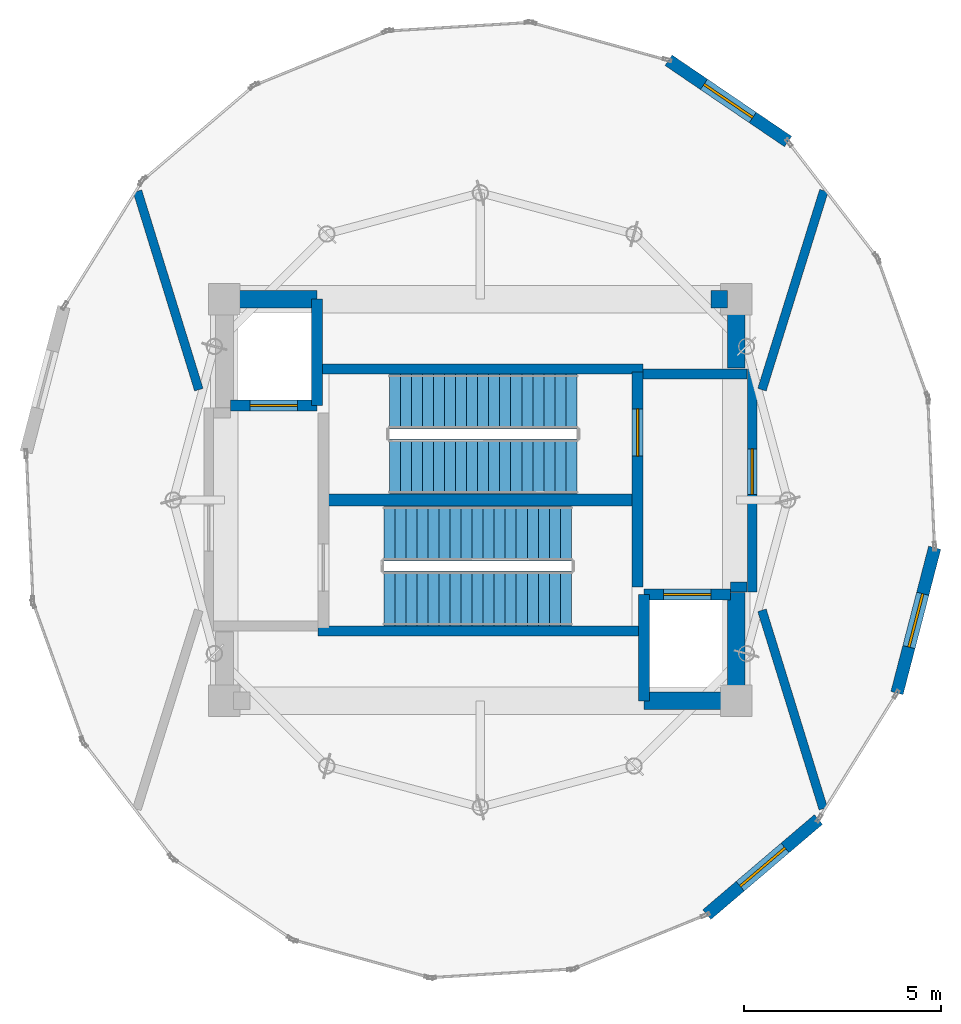
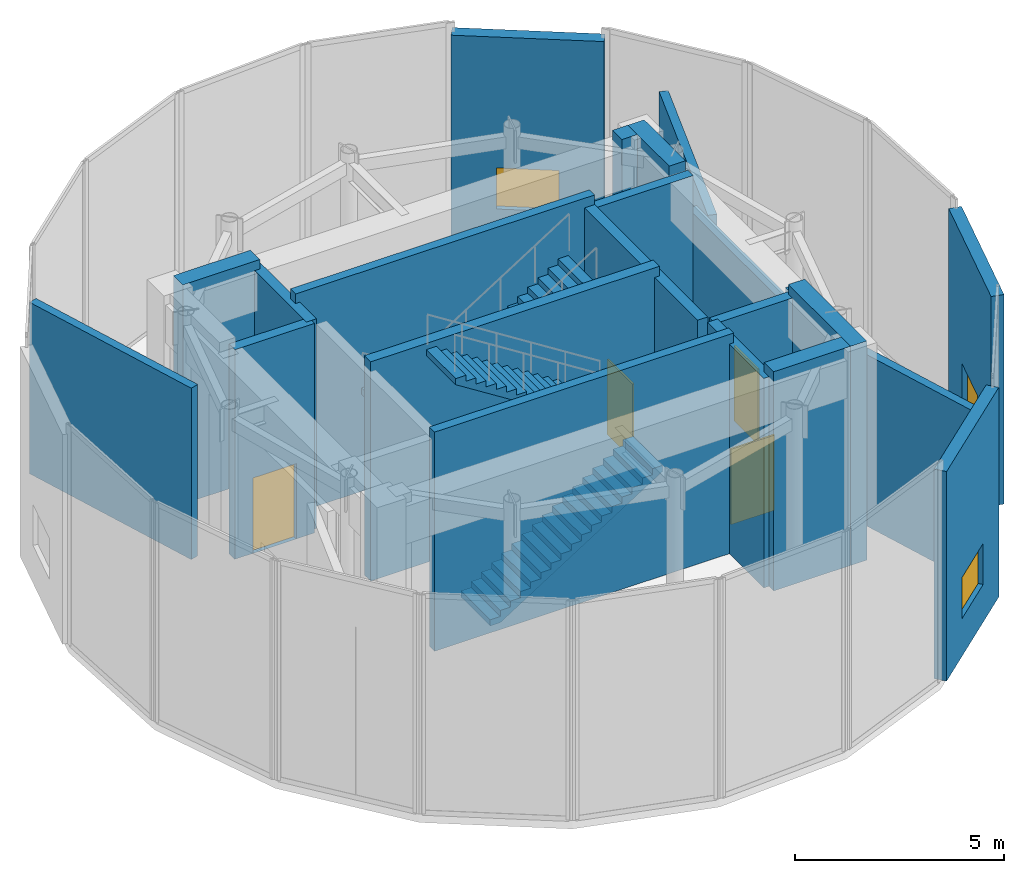
# One storey, part 8 of 9: 22 walls, 4 doors, 4 stair flights, 3 windows, 7 openings, 2 elements without a shape of their own.
"""IFC4 building model written with IfcOpenShell, lengths in metres."""

from ifc_helpers import new_model, si_unit, direction, frame, frame_2d, origin, place, context, subcontext, project, spatial, polyline, rectangle, outline, extrude, material, layer, layer_set, type_object, element, fill, aggregate, save


model = new_model("IFC4")

# Units and contexts
model_context = context("Model", 3, precision=1e-05, world=origin(), true_north=direction((0.0, 1.0)))
body_context = subcontext(model_context, "Body", "Model", "MODEL_VIEW")
ifc_project = project(units=[si_unit("LENGTHUNIT", "METRE"), si_unit("AREAUNIT", "SQUARE_METRE"), si_unit("VOLUMEUNIT", "CUBIC_METRE"), si_unit("PLANEANGLEUNIT", "RADIAN"), si_unit("MASSUNIT", "GRAM", prefix="KILO")], contexts=[model_context])

# Site, building, storey
site_placement = place(None, origin())
site = spatial("IfcSite", under=ifc_project, at=site_placement, CompositionType="ELEMENT")
building_placement = place(site_placement, origin())
building = spatial("IfcBuilding", under=site, at=building_placement, Name="Solvirekh Grand Hotel", CompositionType="ELEMENT")
storey_placement = place(building_placement, frame((0.0, 0.0, 314.60009765625)))
storey = spatial("IfcBuildingStorey", under=building, at=storey_placement, Name="L80", CompositionType="ELEMENT", Elevation=314.60009765625)

# Walls
ifc_material_1 = material(Name="Concrete C50/60", Category="concrete")
ifc_layer_1 = layer(ifc_material_1, 0.35009765625)
ifc_layer_set_1 = layer_set([ifc_layer_1], Name="Concrete C50/60")
wall_type_1 = type_object("IfcWallType", Name="CoreDivWall_RC350", PredefinedType="SOLIDWALL", material=ifc_layer_set_1)
for number, where, z_axis, x_axis, name in (
    (1, (-4.1298828125, -3.324951171875, 0.0), (0.0, 0.0, 1.0), (1.0, 0.0, 0.0), "L80 core stair box wall ST-S"),
    (2, (-4.1298828125, 3.324951171875, 0.0), (0.0, 0.0, 1.0), (1.0, 0.0, 0.0), "L80 core stair box wall ST-N"),
):
    element("IfcWall", number, at=place(storey_placement, frame(where, z_axis=z_axis, x_axis=x_axis)), inside=storey, type_object=wall_type_1, Name=name, PredefinedType="SOLIDWALL", context=body_context, shape_type="SweptSolid", body=[
        extrude(rectangle(XDim=8.259765625, YDim=0.25, at=frame_2d((4.1298828125, 0.0))), origin(), (0.0, 0.0, 1.0), 6.39990234375),
    ])

# Wall, opening, door
ifc_material_2 = material(Name="Concrete C40/50", Category="concrete")
ifc_layer_2 = layer(ifc_material_2, 0.280029296875)
ifc_layer_set_2 = layer_set([ifc_layer_2], Name="Concrete C40/50")
wall_type_2 = type_object("IfcWallType", Name="CoreShaftWall_RC280", PredefinedType="SOLIDWALL", material=ifc_layer_set_2)
wall_1_placement = place(storey_placement, frame((-6.35009765625, 2.39990234375, 0.0), z_axis=(0.0, 0.0, 1.0), x_axis=(1.0, 0.0, 0.0)))
wall_1 = element("IfcWall", 3, at=wall_1_placement, inside=storey, type_object=wall_type_2, Name="L80 FL-1 hoistway S wall", PredefinedType="SOLIDWALL", context=body_context, shape_type="SweptSolid", body=[
    extrude(rectangle(XDim=2.2001953125, YDim=0.280029296875, at=frame_2d((1.10009765625, 0.0))), origin(), (0.0, 0.0, 1.0), 6.119873046875),
])
opening_1_placement = place(wall_1_placement, frame((0.5, 0.0, 0.0)))
opening_1 = element("IfcOpeningElement", 4, at=opening_1_placement, cuts=wall_1, Name="Opening LD02", PredefinedType="OPENING", context=body_context, shape_type="SweptSolid", body=[
    extrude(rectangle(XDim=1.199951171875, YDim=2.199951171875, at=frame_2d((0.60009765625, 1.10009765625))), frame((0.0, 0.14990234375, 0.0), z_axis=(0.0, -1.0, 0.0), x_axis=(1.0, 0.0, 0.0)), (0.0, 0.0, 1.0), 0.300048828125),
])
ifc_material_3 = material(Name="Fire-Rated Steel Door Assembly", Category="steel")
door_type_1 = type_object("IfcDoorType", Name="Door_LiftFF_1200X2200", OperationType="SLIDING_TO_LEFT", PredefinedType="DOOR", material=ifc_material_3)
door_1_placement = place(opening_1_placement, origin())
door_1 = element("IfcDoor", 5, at=door_1_placement, inside=storey, type_object=door_type_1, Name="L80 FL-1 sliding lift landing door", OperationType="SLIDING_TO_LEFT", OverallHeight=2.199951171875, OverallWidth=1.199951171875, PredefinedType="DOOR", context=body_context, shape_type="SweptSolid", body=[
    extrude(rectangle(XDim=1.199951171875, YDim=2.199951171875, at=frame_2d((0.60009765625, 1.10009765625))), frame((0.0, 0.02490234375, 0.0), z_axis=(0.0, -1.0, 0.0), x_axis=(1.0, 0.0, 0.0)), (0.0, 0.0, 1.0), 0.050048828125),
])
fill(opening_1, door_1)

# Wall
wall_2_placement = place(storey_placement, frame((-4.14990234375, 2.39990234375, 0.0), z_axis=(0.0, 0.0, 1.0), x_axis=(0.0, 1.0, 0.0)))
element("IfcWall", 6, at=wall_2_placement, inside=storey, type_object=wall_type_2, Name="L80 FL-1 hoistway E wall", PredefinedType="SOLIDWALL", context=body_context, shape_type="SweptSolid", body=[
    extrude(rectangle(XDim=2.7001953125, YDim=0.280029296875, at=frame_2d((1.35009765625, 0.0))), origin(), (0.0, 0.0, 1.0), 6.119873046875),
])

# Wall, opening, door
wall_3_placement = place(storey_placement, frame((6.35009765625, -2.39990234375, 0.0), z_axis=(0.0, 0.0, 1.0), x_axis=(-1.0, 0.0, 0.0)))
wall_3 = element("IfcWall", 7, at=wall_3_placement, inside=storey, type_object=wall_type_2, Name="L80 FL-2 hoistway N wall", PredefinedType="SOLIDWALL", context=body_context, shape_type="SweptSolid", body=[
    extrude(rectangle(XDim=2.2001953125, YDim=0.280029296875, at=frame_2d((1.10009765625, 0.0))), origin(), (0.0, 0.0, 1.0), 6.119873046875),
])
opening_2_placement = place(wall_3_placement, frame((0.5, 0.0, 0.0)))
opening_2 = element("IfcOpeningElement", 8, at=opening_2_placement, cuts=wall_3, Name="Opening LD02", PredefinedType="OPENING", context=body_context, shape_type="SweptSolid", body=[
    extrude(rectangle(XDim=1.199951171875, YDim=2.199951171875, at=frame_2d((0.60009765625, 1.10009765625))), frame((0.0, 0.14990234375, 0.0), z_axis=(0.0, -1.0, 0.0), x_axis=(1.0, 0.0, 0.0)), (0.0, 0.0, 1.0), 0.300048828125),
])
door_2_placement = place(opening_2_placement, origin())
door_2 = element("IfcDoor", 9, at=door_2_placement, inside=storey, type_object=door_type_1, Name="L80 FL-2 sliding lift landing door", OperationType="SLIDING_TO_LEFT", OverallHeight=2.199951171875, OverallWidth=1.199951171875, PredefinedType="DOOR", context=body_context, shape_type="SweptSolid", body=[
    extrude(rectangle(XDim=1.199951171875, YDim=2.199951171875, at=frame_2d((0.60009765625, 1.10009765625))), frame((0.0, 0.02490234375, 0.0), z_axis=(0.0, -1.0, 0.0), x_axis=(1.0, 0.0, 0.0)), (0.0, 0.0, 1.0), 0.050048828125),
])
fill(opening_2, door_2)

# Wall
wall_4_placement = place(storey_placement, frame((4.14990234375, -2.39990234375, 0.0), z_axis=(0.0, 0.0, 1.0), x_axis=(0.0, -1.0, 0.0)))
element("IfcWall", 10, at=wall_4_placement, inside=storey, type_object=wall_type_2, Name="L80 FL-2 hoistway W wall", PredefinedType="SOLIDWALL", context=body_context, shape_type="SweptSolid", body=[
    extrude(rectangle(XDim=2.7001953125, YDim=0.280029296875, at=frame_2d((1.35009765625, 0.0))), origin(), (0.0, 0.0, 1.0), 6.119873046875),
])

# Wall, opening, door
wall_5_placement = place(storey_placement, frame((3.989990234375, -2.2099609375, 0.0), z_axis=(0.0, 0.0, 1.0), x_axis=(0.0, 1.0, 0.0)))
wall_5 = element("IfcWall", 11, at=wall_5_placement, inside=storey, type_object=wall_type_2, Name="L80 east stair landing enclosure wall", PredefinedType="SOLIDWALL", context=body_context, shape_type="SweptSolid", body=[
    extrude(rectangle(XDim=5.4599609375, YDim=0.280029296875, at=frame_2d((2.72998046875, 0.0))), origin(), (0.0, 0.0, 1.0), 6.119873046875),
])
opening_3_placement = place(wall_5_placement, frame((3.322998046875, 0.0, 0.0)))
opening_3 = element("IfcOpeningElement", 12, at=opening_3_placement, cuts=wall_5, Name="Opening D05", PredefinedType="OPENING", context=body_context, shape_type="SweptSolid", body=[
    extrude(rectangle(XDim=1.199951171875, YDim=2.199951171875, at=frame_2d((0.60009765625, 1.10009765625))), frame((0.0, 0.14990234375, 0.0), z_axis=(0.0, -1.0, 0.0), x_axis=(1.0, 0.0, 0.0)), (0.0, 0.0, 1.0), 0.300048828125),
])
door_type_2 = type_object("IfcDoorType", Name="Door_StairCore_1200X2200", OperationType="NOTDEFINED", PredefinedType="DOOR", material=ifc_material_3)
door_3_placement = place(opening_3_placement, origin())
door_3 = element("IfcDoor", 13, at=door_3_placement, inside=storey, type_object=door_type_2, Name="L80 exit stair ST-2 fire door", OperationType="SINGLE_SWING_LEFT", OverallHeight=2.199951171875, OverallWidth=1.199951171875, PredefinedType="DOOR", context=body_context, shape_type="SweptSolid", body=[
    extrude(rectangle(XDim=1.199951171875, YDim=2.199951171875, at=frame_2d((0.60009765625, 1.10009765625))), frame((0.0, 0.02490234375, 0.0), z_axis=(0.0, -1.0, 0.0), x_axis=(1.0, 0.0, 0.0)), (0.0, 0.0, 1.0), 0.050048828125),
])
fill(opening_3, door_3)

# Walls
ifc_layer_3 = layer(ifc_material_1, 0.449951171875)
ifc_layer_set_3 = layer_set([ifc_layer_3], Name="Concrete C50/60")
wall_type_3 = type_object("IfcWallType", Name="CoreWall_RC450", PredefinedType="SHEAR", material=ifc_layer_set_3)
wall_6_placement = place(storey_placement, frame((-3.989990234375, 0.0, 0.0), z_axis=(0.0, 0.0, 1.0), x_axis=(1.0, 0.0, 0.0)))
element("IfcWall", 14, at=wall_6_placement, inside=storey, type_object=wall_type_3, Name="L80 central stair-spine shear wall", PredefinedType="SHEAR", context=body_context, shape_type="SweptSolid", body=[
    extrude(rectangle(XDim=7.97998046875, YDim=0.300048828125, at=frame_2d((3.989990234375, 0.0))), origin(), (0.0, 0.0, 1.0), 6.39990234375),
])
for number, where, z_axis, x_axis, name in (
    (15, (4.14990234375, -5.10009765625, 0.0), (0.0, 0.0, 1.0), (1.0, 0.0, 0.0), "L80 core corner shear wall SE-S"),
    (16, (-6.27490234375, 5.10009765625, 0.0), (0.0, 0.0, 1.0), (1.0, 0.0, 0.0), "L80 core corner shear wall NW-N"),
):
    element("IfcWall", number, at=place(storey_placement, frame(where, z_axis=z_axis, x_axis=x_axis)), inside=storey, type_object=wall_type_3, Name=name, PredefinedType="SHEAR", context=body_context, shape_type="SweptSolid", body=[
        extrude(rectangle(XDim=2.125, YDim=0.449951171875, at=frame_2d((1.0625, 0.0))), origin(), (0.0, 0.0, 1.0), 6.39990234375),
    ])
wall_7_placement = place(storey_placement, frame((5.85009765625, 5.10009765625, 0.0), z_axis=(0.0, 0.0, 1.0), x_axis=(1.0, 0.0, 0.0)))
element("IfcWall", 17, at=wall_7_placement, inside=storey, type_object=wall_type_3, Name="L80 core corner shear wall NE-N", PredefinedType="SHEAR", context=body_context, shape_type="SweptSolid", body=[
    extrude(rectangle(XDim=0.4248046875, YDim=0.449951171875, at=frame_2d((0.21240234375, 0.0))), origin(), (0.0, 0.0, 1.0), 6.39990234375),
])
wall_8_placement = place(storey_placement, frame((6.5, -5.324951171875, 0.0), z_axis=(0.0, 0.0, 1.0), x_axis=(0.0, 1.0, 0.0)))
element("IfcWall", 18, at=wall_8_placement, inside=storey, type_object=wall_type_3, Name="L80 core corner shear wall ES-E", PredefinedType="SHEAR", context=body_context, shape_type="SweptSolid", body=[
    extrude(rectangle(XDim=2.974853515625, YDim=0.449951171875, at=frame_2d((1.4873046875, 0.0))), origin(), (0.0, 0.0, 1.0), 6.39990234375),
])
wall_9_placement = place(storey_placement, frame((6.5, 3.35009765625, 0.0), z_axis=(0.0, 0.0, 1.0), x_axis=(0.0, 1.0, 0.0)))
element("IfcWall", 19, at=wall_9_placement, inside=storey, type_object=wall_type_3, Name="L80 core corner shear wall EN-E", PredefinedType="SHEAR", context=body_context, shape_type="SweptSolid", body=[
    extrude(rectangle(XDim=1.974853515625, YDim=0.449951171875, at=frame_2d((0.9873046875, 0.0))), origin(), (0.0, 0.0, 1.0), 6.39990234375),
])

# Wall, opening, window
ifc_material_4 = material(Name="Precast concrete C45/55", Category="concrete")
ifc_layer_4 = layer(ifc_material_4, 0.320068359375)
ifc_layer_set_4 = layer_set([ifc_layer_4], Name="Precast concrete C45/55")
wall_type_4 = type_object("IfcWallType", Name="ExtLobbyWall_RC320", PredefinedType="SOLIDWALL", material=ifc_layer_set_4)
wall_10_placement = place(storey_placement, frame((8.583984375, -8.113037109375, 0.0), z_axis=(0.0, 0.0, 1.0), x_axis=(-0.761104204201, -0.648629624938, 0.0)))
wall_10 = element("IfcWall", 20, at=wall_10_placement, inside=storey, type_object=wall_type_4, Name="L80 exterior structural wall chord 3", PredefinedType="SOLIDWALL", context=body_context, shape_type="SweptSolid", body=[
    extrude(rectangle(XDim=3.724853515625, YDim=0.320068359375, at=frame_2d((1.8623046875, 0.0))), origin(), (0.0, 0.0, 1.0), 6.119873046875),
])
opening_4_placement = place(wall_10_placement, frame((1.112060546875, 0.0, 1.10009765625)))
opening_4 = element("IfcOpeningElement", 21, at=opening_4_placement, cuts=wall_10, Name="Opening W05", PredefinedType="OPENING", context=body_context, shape_type="SweptSolid", body=[
    extrude(rectangle(XDim=1.5, YDim=1.199951171875, at=frame_2d((0.75, 0.60009765625))), frame((0.0, 0.169921875, 0.0), z_axis=(0.0, -1.0, 0.0), x_axis=(1.0, 0.0, 0.0)), (0.0, 0.0, 1.0), 0.340087890625),
])
ifc_material_5 = material(Name="Low-E Tinted Bronze Laminated Glass", Category="aluminium")
window_type_1 = type_object("IfcWindowType", Name="Win_PlantVent_1500X1200", PartitioningType="SINGLE_PANEL", PredefinedType="WINDOW", material=ifc_material_5)
window_1_placement = place(opening_4_placement, origin())
window_1 = element("IfcWindow", 22, at=window_1_placement, inside=storey, type_object=window_type_1, Name="L80 mechanical louvre window 3", OverallHeight=1.199951171875, OverallWidth=1.5, PartitioningType="SINGLE_PANEL", PredefinedType="WINDOW", context=body_context, shape_type="SweptSolid", body=[
    extrude(rectangle(XDim=1.5, YDim=1.199951171875, at=frame_2d((0.75, 0.60009765625))), frame((0.0, 0.030029296875, 0.0), z_axis=(0.0, -1.0, 0.0), x_axis=(1.0, 0.0, 0.0)), (0.0, 0.0, 1.0), 0.06005859375),
])
fill(opening_4, window_1)

wall_11_placement = place(storey_placement, frame((11.535888671875, -1.212890625, 0.0), z_axis=(0.0, 0.0, 1.0), x_axis=(-0.2512799417, -0.967914454329, 0.0)))
wall_11 = element("IfcWall", 23, at=wall_11_placement, inside=storey, type_object=wall_type_4, Name="L80 exterior structural wall chord 5", PredefinedType="SOLIDWALL", context=body_context, shape_type="SweptSolid", body=[
    extrude(rectangle(XDim=3.8125, YDim=0.320068359375, at=frame_2d((1.90625, 0.0))), origin(), (0.0, 0.0, 1.0), 6.119873046875),
])
opening_5_placement = place(wall_11_placement, frame((1.2060546875, 0.0, 0.60009765625)))
opening_5 = element("IfcOpeningElement", 24, at=opening_5_placement, cuts=wall_11, Name="Opening SK03", PredefinedType="OPENING", context=body_context, shape_type="SweptSolid", body=[
    extrude(rectangle(XDim=1.39990234375, YDim=1.800048828125, at=frame_2d((0.699951171875, 0.89990234375))), frame((0.0, 0.169921875, 0.0), z_axis=(0.0, -1.0, 0.0), x_axis=(1.0, 0.0, 0.0)), (0.0, 0.0, 1.0), 0.340087890625),
])
ifc_material_6 = material(Name="Champagne Low-Iron Crown Laminated Glass", Category="glass")
window_type_2 = type_object("IfcWindowType", Name="Skylight_Crown_1400X1800", PartitioningType="SINGLE_PANEL", PredefinedType="SKYLIGHT", material=ifc_material_6)
window_2_placement = place(opening_5_placement, origin())
window_2 = element("IfcWindow", 25, at=window_2_placement, inside=storey, type_object=window_type_2, Name="L80 high-level clerestory skylight 5", OverallHeight=1.800048828125, OverallWidth=1.39990234375, PartitioningType="SINGLE_PANEL", PredefinedType="SKYLIGHT", context=body_context, shape_type="SweptSolid", body=[
    extrude(rectangle(XDim=1.39990234375, YDim=1.800048828125, at=frame_2d((0.699951171875, 0.89990234375))), frame((0.0, 0.030029296875, 0.0), z_axis=(0.0, -1.0, 0.0), x_axis=(1.0, 0.0, 0.0)), (0.0, 0.0, 1.0), 0.06005859375),
])
fill(opening_5, window_2)

wall_12_placement = place(storey_placement, frame((4.778076171875, 11.1650390625, 0.0), z_axis=(0.0, 0.0, 1.0), x_axis=(0.827145493649, -0.561987840026, 0.0)))
wall_12 = element("IfcWall", 26, at=wall_12_placement, inside=storey, type_object=wall_type_4, Name="L80 exterior structural wall chord 9", PredefinedType="SOLIDWALL", context=body_context, shape_type="SweptSolid", body=[
    extrude(rectangle(XDim=3.669189453125, YDim=0.320068359375, at=frame_2d((1.83447265625, 0.0))), origin(), (0.0, 0.0, 1.0), 6.119873046875),
])
opening_6_placement = place(wall_12_placement, frame((1.0849609375, 0.0, 1.10009765625)))
opening_6 = element("IfcOpeningElement", 27, at=opening_6_placement, cuts=wall_12, Name="Opening W05", PredefinedType="OPENING", context=body_context, shape_type="SweptSolid", body=[
    extrude(rectangle(XDim=1.5, YDim=1.199951171875, at=frame_2d((0.75, 0.60009765625))), frame((0.0, 0.169921875, 0.0), z_axis=(0.0, -1.0, 0.0), x_axis=(1.0, 0.0, 0.0)), (0.0, 0.0, 1.0), 0.340087890625),
])
window_3_placement = place(opening_6_placement, origin())
window_3 = element("IfcWindow", 28, at=window_3_placement, inside=storey, type_object=window_type_1, Name="L80 mechanical louvre window 9", OverallHeight=1.199951171875, OverallWidth=1.5, PartitioningType="SINGLE_PANEL", PredefinedType="WINDOW", context=body_context, shape_type="SweptSolid", body=[
    extrude(rectangle(XDim=1.5, YDim=1.199951171875, at=frame_2d((0.75, 0.60009765625))), frame((0.0, 0.030029296875, 0.0), z_axis=(0.0, -1.0, 0.0), x_axis=(1.0, 0.0, 0.0)), (0.0, 0.0, 1.0), 0.06005859375),
])
fill(opening_6, window_3)

# Wall, opening, door
ifc_material_7 = material(Name="Acoustic Gypsum Partition Assembly")
ifc_layer_5 = layer(ifc_material_7, 0.239990234375)
ifc_layer_set_5 = layer_set([ifc_layer_5], Name="Acoustic Gypsum Partition Assembly")
wall_type_5 = type_object("IfcWallType", Name="Part_Corridor_240", PredefinedType="PARTITIONING", material=ifc_layer_set_5)
wall_13_placement = place(storey_placement, frame((6.89990234375, -2.340087890625, 0.0), z_axis=(0.0, 0.0, 1.0), x_axis=(0.0, 1.0, 0.0)))
wall_13 = element("IfcWall", 29, at=wall_13_placement, inside=storey, type_object=wall_type_5, Name="L80 east firefighting lobby smoke screen wall", PredefinedType="PARTITIONING", context=body_context, shape_type="SweptSolid", body=[
    extrude(rectangle(XDim=5.670166015625, YDim=0.239990234375, at=frame_2d((2.8349609375, 0.0))), origin(), (0.0, 0.0, 1.0), 5.0048828125),
])
opening_7_placement = place(wall_13_placement, frame((2.486083984375, 0.0, 0.0)))
opening_7 = element("IfcOpeningElement", 30, at=opening_7_placement, cuts=wall_13, Name="Opening D06", PredefinedType="OPENING", context=body_context, shape_type="SweptSolid", body=[
    extrude(rectangle(XDim=1.14990234375, YDim=2.199951171875, at=frame_2d((0.574951171875, 1.10009765625))), frame((0.0, 0.1298828125, 0.0), z_axis=(0.0, -1.0, 0.0), x_axis=(1.0, 0.0, 0.0)), (0.0, 0.0, 1.0), 0.260009765625),
])
door_type_3 = type_object("IfcDoorType", Name="Door_FFLobby_1150X2200", OperationType="NOTDEFINED", PredefinedType="DOOR", material=ifc_material_3)
door_4_placement = place(opening_7_placement, origin())
door_4 = element("IfcDoor", 31, at=door_4_placement, inside=storey, type_object=door_type_3, Name="L80 east firefighting lobby smoke door", OperationType="SINGLE_SWING_LEFT", OverallHeight=2.199951171875, OverallWidth=1.14990234375, PredefinedType="DOOR", context=body_context, shape_type="SweptSolid", body=[
    extrude(rectangle(XDim=1.14990234375, YDim=2.199951171875, at=frame_2d((0.574951171875, 1.10009765625))), frame((0.0, 0.02490234375, 0.0), z_axis=(0.0, -1.0, 0.0), x_axis=(1.0, 0.0, 0.0)), (0.0, 0.0, 1.0), 0.050048828125),
])
fill(opening_7, door_4)

# Walls
ifc_layer_6 = layer(ifc_material_7, 0.260009765625)
ifc_layer_set_6 = layer_set([ifc_layer_6], Name="Acoustic Gypsum Partition Assembly")
wall_type_6 = type_object("IfcWallType", Name="Part_LobbyFF_260", PredefinedType="PARTITIONING", material=ifc_layer_set_6)
wall_14_placement = place(storey_placement, frame((6.35009765625, -2.2099609375, 0.0), z_axis=(0.0, 0.0, 1.0), x_axis=(1.0, 0.0, 0.0)))
element("IfcWall", 32, at=wall_14_placement, inside=storey, type_object=wall_type_6, Name="L80 east firefighting lobby SE cheek", PredefinedType="PARTITIONING", context=body_context, shape_type="SweptSolid", body=[
    extrude(rectangle(XDim=0.4248046875, YDim=0.260009765625, at=frame_2d((0.21240234375, 0.0))), origin(), (0.0, 0.0, 1.0), 6.119873046875),
])
wall_15_placement = place(storey_placement, frame((4.1298828125, 3.199951171875, 0.0), z_axis=(0.0, 0.0, 1.0), x_axis=(1.0, 0.0, 0.0)))
element("IfcWall", 33, at=wall_15_placement, inside=storey, type_object=wall_type_6, Name="L80 east firefighting lobby north partition", PredefinedType="PARTITIONING", context=body_context, shape_type="SweptSolid", body=[
    extrude(rectangle(XDim=2.64501953125, YDim=0.260009765625, at=frame_2d((1.322509765625, 0.0))), origin(), (0.0, 0.0, 1.0), 6.119873046875),
])
ifc_layer_7 = layer(ifc_material_4, 0.22509765625)
ifc_layer_set_7 = layer_set([ifc_layer_7], Name="Precast concrete C45/55")
wall_type_7 = type_object("IfcWallType", Name="Part_Plant_225", PredefinedType="PARTITIONING", material=ifc_layer_set_7)
wall_16_placement = place(storey_placement, frame((-7.14990234375, 2.800048828125, 0.0), z_axis=(0.0, 0.0, 1.0), x_axis=(-0.295184908093, 0.955440144663, 0.0)))
element("IfcWall", 34, at=wall_16_placement, inside=storey, type_object=wall_type_7, Name="L80 west crown plant north wall", PredefinedType="PARTITIONING", context=body_context, shape_type="SweptSolid", body=[
    extrude(rectangle(XDim=5.275146484375, YDim=0.22509765625, at=frame_2d((2.6376953125, 0.0))), origin(), (0.0, 0.0, 1.0), 5.0048828125),
])
wall_17_placement = place(storey_placement, frame((7.14990234375, 2.800048828125, 0.0), z_axis=(0.0, 0.0, 1.0), x_axis=(0.297179629103, 0.954821589642, 0.0)))
element("IfcWall", 35, at=wall_17_placement, inside=storey, type_object=wall_type_7, Name="L80 east crown plant north wall", PredefinedType="PARTITIONING", context=body_context, shape_type="SweptSolid", body=[
    extrude(rectangle(XDim=5.29296875, YDim=0.22509765625, at=frame_2d((2.646484375, 0.0))), origin(), (0.0, 0.0, 1.0), 5.0048828125),
])
wall_18_placement = place(storey_placement, frame((7.14990234375, -2.800048828125, 0.0), z_axis=(0.0, 0.0, 1.0), x_axis=(0.295184908093, -0.955440144663, 0.0)))
element("IfcWall", 36, at=wall_18_placement, inside=storey, type_object=wall_type_7, Name="L80 east crown plant south wall", PredefinedType="PARTITIONING", context=body_context, shape_type="SweptSolid", body=[
    extrude(rectangle(XDim=5.275146484375, YDim=0.22509765625, at=frame_2d((2.6376953125, 0.0))), origin(), (0.0, 0.0, 1.0), 5.0048828125),
])

# Stair, stair flights
stair_type = type_object("IfcStairType", Name="Stair_Core_1450", PredefinedType="HALF_TURN_STAIR", material=ifc_material_2)
stair_1_placement = place(storey_placement, origin())
stair_1 = element("IfcStair", 37, at=stair_1_placement, inside=storey, type_object=stair_type, Name="L80 Enclosed exit stair ST-1", PredefinedType="HALF_TURN_STAIR")
stair_flight_type = type_object("IfcStairFlightType", Name="Flight_Core_1450", PredefinedType="STRAIGHT", material=ifc_material_2)
stair_flight_1_placement = place(storey_placement, frame((-2.449951171875, -2.5, 0.0), z_axis=(0.0, 0.0, 1.0), x_axis=(1.0, 0.0, 0.0)))
stair_flight_1 = element("IfcStairFlight", 38, at=stair_flight_1_placement, type_object=stair_flight_type, Name="ST-1 flight 1", NumberOfRisers=18, NumberOfTreads=17, PredefinedType="STRAIGHT", RiserHeight=0.177777778, TreadLength=0.28, context=body_context, shape_type="SweptSolid", body=[
    extrude(outline(polyline([(0.0, 0.0), (0.0, 0.177734375), (0.280029296875, 0.177734375), (0.280029296875, 0.35546875), (0.56005859375, 0.35546875), (0.56005859375, 0.533447265625), (0.840087890625, 0.533447265625), (0.840087890625, 0.711181640625), (1.1201171875, 0.711181640625), (1.1201171875, 0.888916015625), (1.39990234375, 0.888916015625), (1.39990234375, 1.066650390625), (1.679931640625, 1.066650390625), (1.679931640625, 1.244384765625), (1.9599609375, 1.244384765625), (1.9599609375, 1.422119140625), (2.239990234375, 1.422119140625), (2.239990234375, 1.60009765625), (2.52001953125, 1.60009765625), (2.52001953125, 1.77783203125), (2.800048828125, 1.77783203125), (2.800048828125, 1.95556640625), (3.080078125, 1.95556640625), (3.080078125, 2.13330078125), (3.360107421875, 2.13330078125), (3.360107421875, 2.31103515625), (3.639892578125, 2.31103515625), (3.639892578125, 2.48876953125), (3.919921875, 2.48876953125), (3.919921875, 2.666748046875), (4.199951171875, 2.666748046875), (4.199951171875, 2.844482421875), (4.47998046875, 2.844482421875), (4.47998046875, 3.022216796875), (4.760009765625, 3.022216796875), (4.760009765625, 3.199951171875), (4.760009765625, 2.8447265625), (0.27978515625, 0.0), (0.0, 0.0)])), frame((0.0, 0.699951171875, 0.0), z_axis=(0.0, -1.0, 0.0), x_axis=(1.0, 0.0, 0.0)), (0.0, 0.0, 1.0), 1.39990234375),
])
stair_flight_2_placement = place(storey_placement, frame((2.31005859375, -0.85009765625, 3.199951171875), z_axis=(0.0, 0.0, 1.0), x_axis=(-1.0, 0.0, 0.0)))
stair_flight_2 = element("IfcStairFlight", 39, at=stair_flight_2_placement, type_object=stair_flight_type, Name="ST-1 flight 2", NumberOfRisers=18, NumberOfTreads=17, PredefinedType="STRAIGHT", RiserHeight=0.177777778, TreadLength=0.28, context=body_context, shape_type="SweptSolid", body=[
    extrude(outline(polyline([(0.0, 0.0), (0.0, 0.177734375), (0.280029296875, 0.177734375), (0.280029296875, 0.35546875), (0.56005859375, 0.35546875), (0.56005859375, 0.533447265625), (0.840087890625, 0.533447265625), (0.840087890625, 0.711181640625), (1.1201171875, 0.711181640625), (1.1201171875, 0.888916015625), (1.39990234375, 0.888916015625), (1.39990234375, 1.066650390625), (1.679931640625, 1.066650390625), (1.679931640625, 1.244384765625), (1.9599609375, 1.244384765625), (1.9599609375, 1.422119140625), (2.239990234375, 1.422119140625), (2.239990234375, 1.60009765625), (2.52001953125, 1.60009765625), (2.52001953125, 1.77783203125), (2.800048828125, 1.77783203125), (2.800048828125, 1.95556640625), (3.080078125, 1.95556640625), (3.080078125, 2.13330078125), (3.360107421875, 2.13330078125), (3.360107421875, 2.31103515625), (3.639892578125, 2.31103515625), (3.639892578125, 2.48876953125), (3.919921875, 2.48876953125), (3.919921875, 2.666748046875), (4.199951171875, 2.666748046875), (4.199951171875, 2.844482421875), (4.47998046875, 2.844482421875), (4.47998046875, 3.022216796875), (4.760009765625, 3.022216796875), (4.760009765625, 3.199951171875), (4.760009765625, 2.8447265625), (0.27978515625, 0.0), (0.0, 0.0)])), frame((0.0, 0.699951171875, 0.0), z_axis=(0.0, -1.0, 0.0), x_axis=(1.0, 0.0, 0.0)), (0.0, 0.0, 1.0), 1.39990234375),
])
aggregate(stair_1, [stair_flight_1, stair_flight_2])

stair_2_placement = place(storey_placement, origin())
stair_2 = element("IfcStair", 40, at=stair_2_placement, inside=storey, type_object=stair_type, Name="L80 Enclosed exit stair ST-2", PredefinedType="HALF_TURN_STAIR")
stair_flight_3_placement = place(storey_placement, frame((2.449951171875, 2.5, 0.0), z_axis=(0.0, 0.0, 1.0), x_axis=(-1.0, 0.0, 0.0)))
stair_flight_3 = element("IfcStairFlight", 41, at=stair_flight_3_placement, type_object=stair_flight_type, Name="ST-2 flight 1", NumberOfRisers=18, NumberOfTreads=17, PredefinedType="STRAIGHT", RiserHeight=0.177777778, TreadLength=0.28, context=body_context, shape_type="SweptSolid", body=[
    extrude(outline(polyline([(0.0, 0.0), (0.0, 0.177734375), (0.280029296875, 0.177734375), (0.280029296875, 0.35546875), (0.56005859375, 0.35546875), (0.56005859375, 0.533447265625), (0.840087890625, 0.533447265625), (0.840087890625, 0.711181640625), (1.1201171875, 0.711181640625), (1.1201171875, 0.888916015625), (1.39990234375, 0.888916015625), (1.39990234375, 1.066650390625), (1.679931640625, 1.066650390625), (1.679931640625, 1.244384765625), (1.9599609375, 1.244384765625), (1.9599609375, 1.422119140625), (2.239990234375, 1.422119140625), (2.239990234375, 1.60009765625), (2.52001953125, 1.60009765625), (2.52001953125, 1.77783203125), (2.800048828125, 1.77783203125), (2.800048828125, 1.95556640625), (3.080078125, 1.95556640625), (3.080078125, 2.13330078125), (3.360107421875, 2.13330078125), (3.360107421875, 2.31103515625), (3.639892578125, 2.31103515625), (3.639892578125, 2.48876953125), (3.919921875, 2.48876953125), (3.919921875, 2.666748046875), (4.199951171875, 2.666748046875), (4.199951171875, 2.844482421875), (4.47998046875, 2.844482421875), (4.47998046875, 3.022216796875), (4.760009765625, 3.022216796875), (4.760009765625, 3.199951171875), (4.760009765625, 2.8447265625), (0.27978515625, 0.0), (0.0, 0.0)])), frame((0.0, 0.699951171875, 0.0), z_axis=(0.0, -1.0, 0.0), x_axis=(1.0, 0.0, 0.0)), (0.0, 0.0, 1.0), 1.39990234375),
])
stair_flight_4_placement = place(storey_placement, frame((-2.31005859375, 0.85009765625, 3.199951171875), z_axis=(0.0, 0.0, 1.0), x_axis=(1.0, 0.0, 0.0)))
stair_flight_4 = element("IfcStairFlight", 42, at=stair_flight_4_placement, type_object=stair_flight_type, Name="ST-2 flight 2", NumberOfRisers=18, NumberOfTreads=17, PredefinedType="STRAIGHT", RiserHeight=0.177777778, TreadLength=0.28, context=body_context, shape_type="SweptSolid", body=[
    extrude(outline(polyline([(0.0, 0.0), (0.0, 0.177734375), (0.280029296875, 0.177734375), (0.280029296875, 0.35546875), (0.56005859375, 0.35546875), (0.56005859375, 0.533447265625), (0.840087890625, 0.533447265625), (0.840087890625, 0.711181640625), (1.1201171875, 0.711181640625), (1.1201171875, 0.888916015625), (1.39990234375, 0.888916015625), (1.39990234375, 1.066650390625), (1.679931640625, 1.066650390625), (1.679931640625, 1.244384765625), (1.9599609375, 1.244384765625), (1.9599609375, 1.422119140625), (2.239990234375, 1.422119140625), (2.239990234375, 1.60009765625), (2.52001953125, 1.60009765625), (2.52001953125, 1.77783203125), (2.800048828125, 1.77783203125), (2.800048828125, 1.95556640625), (3.080078125, 1.95556640625), (3.080078125, 2.13330078125), (3.360107421875, 2.13330078125), (3.360107421875, 2.31103515625), (3.639892578125, 2.31103515625), (3.639892578125, 2.48876953125), (3.919921875, 2.48876953125), (3.919921875, 2.666748046875), (4.199951171875, 2.666748046875), (4.199951171875, 2.844482421875), (4.47998046875, 2.844482421875), (4.47998046875, 3.022216796875), (4.760009765625, 3.022216796875), (4.760009765625, 3.199951171875), (4.760009765625, 2.8447265625), (0.27978515625, 0.0), (0.0, 0.0)])), frame((0.0, 0.699951171875, 0.0), z_axis=(0.0, -1.0, 0.0), x_axis=(1.0, 0.0, 0.0)), (0.0, 0.0, 1.0), 1.39990234375),
])
aggregate(stair_2, [stair_flight_3, stair_flight_4])

save(model, "model.ifc")
